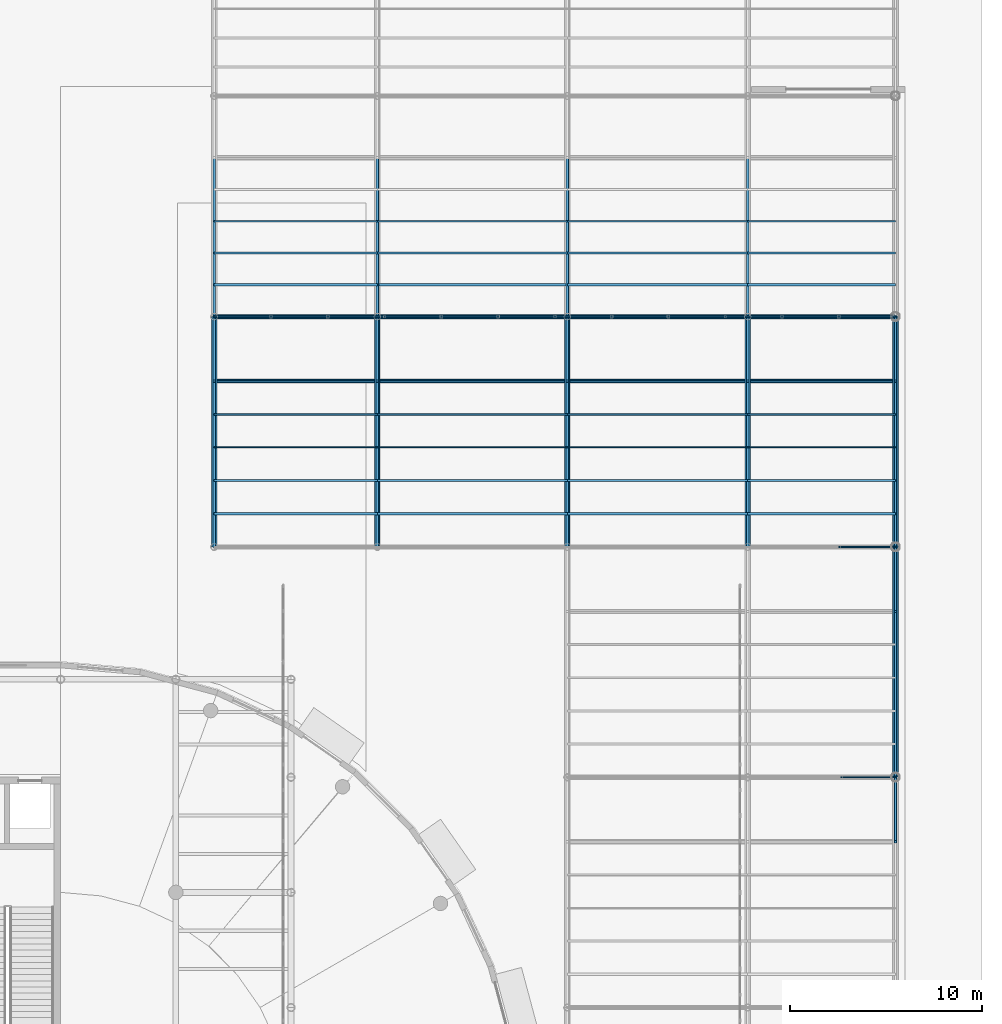
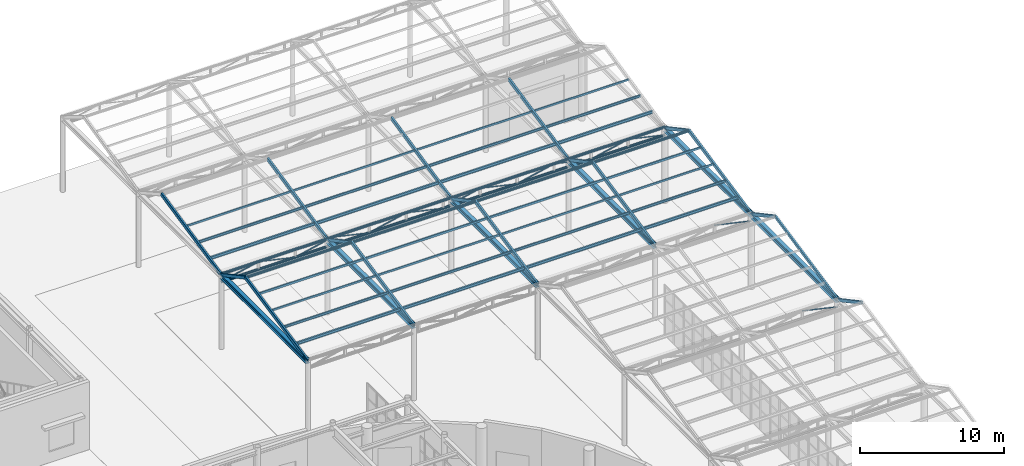
# One storey, part 48 of 118: 62 members, 6 beams.
"""IFC4 building model written with IfcOpenShell, lengths in metres."""

import ifcopenshell
import ifcopenshell.guid

model = None  # the IFC model being written
_history = None  # IfcOwnerHistory: only IFC2X3 demands one
_inside = {}  # id of a spatial element -> (the spatial element, [elements in it])
_under = {}  # id of a project, library or spatial element -> (it, [spatial elements below it])
_declared = {}  # id of a project -> (the project, [libraries it declares])
_typed = {}  # id of a type object -> (the type object, [elements of that type])
_made_of = {}  # id of a material, layer set ... -> (it, [elements and type objects made of it])


def new_model(schema):
    """Start an empty IFC model of exactly this schema.

    Asked for "IFC4X3", IfcOpenShell would pick the latest addendum, in which some entities
    have other attributes; the version numbers below select the first issue.
    IFC2X3 requires an IfcOwnerHistory on every rooted entity: one is made here for all.
    """
    global model, _history
    if schema == "IFC4X3":
        model = ifcopenshell.file(schema_version=(4, 3, 0, 0))
    else:
        model = ifcopenshell.file(schema=schema)
    _inside.clear()
    _under.clear()
    _declared.clear()
    _typed.clear()
    _made_of.clear()
    _history = None
    if model.schema == "IFC2X3":
        org = make("IfcOrganization", Name="unknown")
        user = make(
            "IfcPersonAndOrganization",
            ThePerson=make("IfcPerson", FamilyName="unknown"),
            TheOrganization=org,
        )
        app = make(
            "IfcApplication",
            ApplicationDeveloper=org,
            Version="unknown",
            ApplicationFullName="unknown",
            ApplicationIdentifier="unknown",
        )
        _history = make(
            "IfcOwnerHistory",
            OwningUser=user,
            OwningApplication=app,
            ChangeAction="ADDED",
            CreationDate=0,
        )
    return model


def make(cls, **values):
    """One entity of the class cls with the attributes given. An attribute that is None is left unset."""
    return model.create_entity(
        cls, **{name: value for name, value in values.items() if value is not None}
    )


def rooted(cls, **values):
    """An entity with a GlobalId (a new one), such as an element, a storey or a relation."""
    return make(cls, GlobalId=ifcopenshell.guid.new(), OwnerHistory=_history, **values)


def si_unit(unit_type, name, prefix=None):
    """IfcSIUnit, for example si_unit("LENGTHUNIT", "METRE", prefix="MILLI")."""
    return make("IfcSIUnit", UnitType=unit_type, Prefix=prefix, Name=name)


def assignment(units):
    """IfcUnitAssignment: the units of a project."""
    return None if units is None else make("IfcUnitAssignment", Units=units)


def point(xyz):
    """IfcCartesianPoint."""
    return None if xyz is None else make("IfcCartesianPoint", Coordinates=xyz)


def direction(xyz):
    """IfcDirection."""
    return None if xyz is None else make("IfcDirection", DirectionRatios=xyz)


def frame(location, z_axis=None, x_axis=None):
    """IfcAxis2Placement3D, a coordinate frame: its origin and axes. An axis left out is left unset."""
    return make(
        "IfcAxis2Placement3D",
        Location=point(location),
        Axis=direction(z_axis),
        RefDirection=direction(x_axis),
    )


def frame_2d(location, x_axis=None):
    """IfcAxis2Placement2D, a coordinate frame in the plane: its origin and x axis."""
    return make(
        "IfcAxis2Placement2D", Location=point(location), RefDirection=direction(x_axis)
    )


def origin():
    """The frame at (0, 0, 0) with its axes left unset."""
    return frame((0.0, 0.0, 0.0))


def origin_2d():
    """The frame at (0, 0) in the plane with its x axis left unset."""
    return frame_2d((0.0, 0.0))


def place(relative_to, where):
    """IfcLocalPlacement: puts the frame where relative to a parent placement (None: the world)."""
    return make(
        "IfcLocalPlacement", PlacementRelTo=relative_to, RelativePlacement=where
    )


def context(
    kind, dimensions, precision=None, world=None, true_north=None, identifier=None
):
    """IfcGeometricRepresentationContext, for example the 3D "Model" context."""
    return make(
        "IfcGeometricRepresentationContext",
        ContextIdentifier=identifier,
        ContextType=kind,
        CoordinateSpaceDimension=dimensions,
        Precision=precision,
        WorldCoordinateSystem=world,
        TrueNorth=true_north,
    )


def subcontext(parent, identifier, kind, view, scale=None):
    """IfcGeometricRepresentationSubContext, for example "Body" below "Model"."""
    return make(
        "IfcGeometricRepresentationSubContext",
        ContextIdentifier=identifier,
        ContextType=kind,
        ParentContext=parent,
        TargetScale=scale,
        TargetView=view,
    )


def project(units=None, contexts=None):
    """IfcProject with its units and contexts."""
    return rooted(
        "IfcProject",
        Name="project",
        RepresentationContexts=contexts,
        UnitsInContext=assignment(units),
    )


def spatial(cls, under=None, at=None, **own):
    """A site, building, storey or space (cls), placed at a placement, below another one or the project."""
    s = rooted(cls, ObjectPlacement=at, **own)
    if under is not None:
        _under.setdefault(under.id(), (under, []))[1].append(s)
    return s


def profile(cls, at=None, kind="AREA", **sizes):
    """A parametric profile (cls). Its sizes go by their IFC names, for example OverallWidth=200.0."""
    return make(cls, ProfileType=kind, Position=at, **sizes)


def hollow_rectangle(**sizes):
    """IfcRectangleHollowProfileDef."""
    return profile("IfcRectangleHollowProfileDef", **sizes)


def hollow_circle(**sizes):
    """IfcCircleHollowProfileDef."""
    return profile("IfcCircleHollowProfileDef", **sizes)


def i_section(**sizes):
    """IfcIShapeProfileDef."""
    return profile("IfcIShapeProfileDef", **sizes)


def extrude(swept, where, along, depth):
    """IfcExtrudedAreaSolid: the profile swept, set in the frame where, extruded along a direction by depth."""
    return make(
        "IfcExtrudedAreaSolid",
        SweptArea=swept,
        Position=where,
        ExtrudedDirection=direction(along),
        Depth=depth,
    )


def shape(context_of_items, identifier, shape_type, items):
    """IfcShapeRepresentation: the items that make up one representation, for example the "Body"."""
    return make(
        "IfcShapeRepresentation",
        ContextOfItems=context_of_items,
        RepresentationIdentifier=identifier,
        RepresentationType=shape_type,
        Items=items,
    )


def material(Name=None, Category=None):
    """IfcMaterial."""
    return make("IfcMaterial", Name=Name, Category=Category)


def material_profile(
    of_material, cross_section, Name=None, Category=None, Priority=None
):
    """IfcMaterialProfile: a cross section and its material."""
    return make(
        "IfcMaterialProfile",
        Name=Name,
        Material=of_material,
        Profile=cross_section,
        Priority=Priority,
        Category=Category,
    )


def profile_set(profiles, Name=None, composite=None):
    """IfcMaterialProfileSet."""
    return make(
        "IfcMaterialProfileSet",
        Name=Name,
        MaterialProfiles=profiles,
        CompositeProfile=composite,
    )


def made_of(thing, what):
    """Note that an element or type object is made of a material, layer set ...; save() writes the relation."""
    if what is not None:
        _made_of.setdefault(what.id(), (what, []))[1].append(thing)
    return thing


def type_object(cls, material=None, **own):
    """A type object (cls), such as IfcWallType, which elements share."""
    return made_of(rooted(cls, **own), material)


def element(
    cls,
    number,
    at=None,
    inside=None,
    cuts=None,
    type_object=None,
    material=None,
    context=None,
    identifier="Body",
    shape_type=None,
    held_by="IfcProductDefinitionShape",
    body=None,
    shapes=None,
    **own,
):
    """One element of the class cls, such as IfcWall. Its Tag is "e" and its number.

    at: its placement. inside: the storey or other place that contains it. cuts: it is an
    opening in that element (IfcRelVoidsElement). A single representation is given by context,
    identifier, shape_type and body (its items); several are given by shapes. held_by: the class
    of the entity that holds the representations. save() writes the other relations.
    """
    e = rooted(cls, Tag="e%d" % number, ObjectPlacement=at, **own)
    if body is not None:
        shapes = [shape(context, identifier, shape_type, body)]
    if shapes is not None:
        e.Representation = make(held_by, Representations=shapes)
    if inside is not None:
        _inside.setdefault(inside.id(), (inside, []))[1].append(e)
    if cuts is not None:
        rooted(
            "IfcRelVoidsElement", RelatingBuildingElement=cuts, RelatedOpeningElement=e
        )
    if type_object is not None:
        _typed.setdefault(type_object.id(), (type_object, []))[1].append(e)
    return made_of(e, material)


def aggregate(whole, parts):
    """IfcRelAggregates: a whole, such as a stair, and the parts it consists of."""
    return rooted("IfcRelAggregates", RelatingObject=whole, RelatedObjects=parts)


def save(model, path):
    """Write the relations noted so far, then the file.

    IfcRelAggregates (storeys below a building ...), IfcRelContainedInSpatialStructure (elements
    in a storey), IfcRelDefinesByType, IfcRelAssociatesMaterial and IfcRelDeclares: one each for
    every whole, place, type object, material and project.
    """
    for whole, parts in _under.values():
        aggregate(whole, parts)
    for where, things in _inside.values():
        rooted(
            "IfcRelContainedInSpatialStructure",
            RelatedElements=things,
            RelatingStructure=where,
        )
    for kind, things in _typed.values():
        rooted("IfcRelDefinesByType", RelatedObjects=things, RelatingType=kind)
    for what, things in _made_of.values():
        rooted("IfcRelAssociatesMaterial", RelatedObjects=things, RelatingMaterial=what)
    for by, libraries in _declared.values():
        rooted("IfcRelDeclares", RelatingContext=by, RelatedDefinitions=libraries)
    model.write(path)


model = new_model("IFC4")

# Units and contexts
model_context = context("Model", 3, precision=1e-05, world=origin(), true_north=direction((0.0, 1.0)))
body_context = subcontext(model_context, "Body", "Model", "MODEL_VIEW")
ifc_project = project(units=[si_unit("LENGTHUNIT", "METRE"), si_unit("AREAUNIT", "SQUARE_METRE"), si_unit("VOLUMEUNIT", "CUBIC_METRE"), si_unit("PLANEANGLEUNIT", "RADIAN"), si_unit("MASSUNIT", "GRAM", prefix="KILO")], contexts=[model_context])

# Site, building, storey
site_placement = place(None, origin())
site = spatial("IfcSite", under=ifc_project, at=site_placement, CompositionType="ELEMENT")
building_placement = place(site_placement, origin())
building = spatial("IfcBuilding", under=site, at=building_placement, Name="Kolvaren Corner Interchange", CompositionType="ELEMENT")
storey_placement = place(building_placement, origin())
storey = spatial("IfcBuildingStorey", under=building, at=storey_placement, Name="L01", CompositionType="ELEMENT", Elevation=0.0)

# Beams
ifc_material_1 = material(Name="Steel S355", Category="steel")
ifc_material_profile_1 = material_profile(ifc_material_1, i_section(OverallWidth=0.300048828125, OverallDepth=0.389892578125, WebThickness=0.010986328125, FlangeThickness=0.01904296875, FilletRadius=0.027099609375, at=origin_2d()), Name="HEA 400")
ifc_profile_set_1 = profile_set([ifc_material_profile_1], Name="Steel S355")
beam_type = type_object("IfcBeamType", Name="BM-HEA400", PredefinedType="BEAM", material=ifc_profile_set_1)
for number, where, z_axis, x_axis, name in (
    (1, (128.0, 78.0, 6.199951171875), (0.0, 1.0, 0.0), (-1.0, 0.0, 0.0), "Bus Canopy Eaves Girder 001"),
    (2, (136.5, 78.0, 6.199951171875), (0.0, 1.0, 0.0), (-1.0, 0.0, 0.0), "Bus Canopy Eaves Girder 004"),
    (3, (146.39990234375, 78.0, 6.199951171875), (0.0, 1.0, 0.0), (-1.0, 0.0, 0.0), "Bus Canopy Eaves Girder 010"),
    (4, (155.800048828125, 78.0, 6.199951171875), (0.0, 1.0, 0.0), (-1.0, 0.0, 0.0), "Bus Canopy Eaves Girder 016"),
    (5, (163.5, 66.0, 6.199951171875), (0.0, 1.0, 0.0), (-1.0, 0.0, 0.0), "Bus Canopy Eaves Girder 021"),
    (6, (163.5, 78.0, 6.199951171875), (0.0, 1.0, 0.0), (-1.0, 0.0, 0.0), "Bus Canopy Eaves Girder 022"),
):
    element("IfcBeam", number, at=place(storey_placement, frame(where, z_axis=z_axis, x_axis=x_axis)), inside=storey, type_object=beam_type, Name=name, PredefinedType="BEAM", context=body_context, shape_type="SweptSolid", body=[
        extrude(i_section(OverallWidth=0.300048828125, OverallDepth=0.389892578125, WebThickness=0.010986328125, FlangeThickness=0.01904296875, FilletRadius=0.027099609375, at=origin_2d()), origin(), (0.0, 0.0, 1.0), 12.0),
    ])

# Members
ifc_material_2 = material(Name="Steel S355", Category="steel")
ifc_material_profile_2 = material_profile(ifc_material_2, hollow_circle(Radius=0.05712890625, WallThickness=0.00634765625, at=origin_2d()), Name="CHS 114.3x6.3")
ifc_profile_set_2 = profile_set([ifc_material_profile_2], Name="Steel S355")
member_type_1 = type_object("IfcMemberType", Name="MEM-BR-CHS114", PredefinedType="BRACE", material=ifc_profile_set_2)
for number, where, z_axis, x_axis, name in (
    (7, (128.0, 90.0, 5.64990234375), (0.97528679841, 0.0, 0.220942664161), (0.0, 1.0, 0.0), "Bus Canopy Sawtooth Roof Truss 05 Web Diagonal 01"),
    (8, (133.916748046875, 90.0, 5.64990234375), (0.97528679841, 0.0, 0.220942664161), (0.0, 1.0, 0.0), "Bus Canopy Sawtooth Roof Truss 05 Web Diagonal 03"),
):
    element("IfcMember", number, at=place(storey_placement, frame(where, z_axis=z_axis, x_axis=x_axis)), inside=storey, type_object=member_type_1, Name=name, PredefinedType="BRACE", context=body_context, shape_type="SweptSolid", body=[
        extrude(hollow_circle(Radius=0.05712890625, WallThickness=0.00634765625, at=origin_2d()), origin(), (0.0, 0.0, 1.0), 3.033203125),
    ])
member_1_placement = place(storey_placement, frame((139.833251953125, 90.0, 5.64990234375), z_axis=(0.975290727078, 0.0, 0.220925321491), x_axis=(0.0, 1.0, 0.0)))
element("IfcMember", 9, at=member_1_placement, inside=storey, type_object=member_type_1, Name="Bus Canopy Sawtooth Roof Truss 05 Web Diagonal 05", PredefinedType="BRACE", context=body_context, shape_type="SweptSolid", body=[
    extrude(hollow_circle(Radius=0.05712890625, WallThickness=0.00634765625, at=origin_2d()), origin(), (0.0, 0.0, 1.0), 3.033447265625),
])
for number, where, z_axis, x_axis, name in (
    (10, (145.75, 90.0, 5.64990234375), (0.97528679841, 0.0, 0.220942664161), (0.0, 1.0, 0.0), "Bus Canopy Sawtooth Roof Truss 05 Web Diagonal 07"),
    (11, (151.666748046875, 90.0, 5.64990234375), (0.97528679841, 0.0, 0.220942664161), (0.0, 1.0, 0.0), "Bus Canopy Sawtooth Roof Truss 05 Web Diagonal 09"),
):
    element("IfcMember", number, at=place(storey_placement, frame(where, z_axis=z_axis, x_axis=x_axis)), inside=storey, type_object=member_type_1, Name=name, PredefinedType="BRACE", context=body_context, shape_type="SweptSolid", body=[
        extrude(hollow_circle(Radius=0.05712890625, WallThickness=0.00634765625, at=origin_2d()), origin(), (0.0, 0.0, 1.0), 3.033203125),
    ])
member_2_placement = place(storey_placement, frame((157.583251953125, 90.0, 5.64990234375), z_axis=(0.975290727078, 0.0, 0.220925321491), x_axis=(0.0, 1.0, 0.0)))
element("IfcMember", 12, at=member_2_placement, inside=storey, type_object=member_type_1, Name="Bus Canopy Sawtooth Roof Truss 05 Web Diagonal 11", PredefinedType="BRACE", context=body_context, shape_type="SweptSolid", body=[
    extrude(hollow_circle(Radius=0.05712890625, WallThickness=0.00634765625, at=origin_2d()), origin(), (0.0, 0.0, 1.0), 3.033447265625),
])
ifc_material_3 = material(Name="Steel S355", Category="steel")
ifc_material_profile_3 = material_profile(ifc_material_3, hollow_circle(Radius=0.04443359375, WallThickness=0.0048828125, at=origin_2d()), Name="CHS 88.9x5.0")
ifc_profile_set_3 = profile_set([ifc_material_profile_3], Name="Steel S355")
member_type_2 = type_object("IfcMemberType", Name="MEM-BR-CHS89", PredefinedType="BRACE", material=ifc_profile_set_3)
member_3_placement = place(storey_placement, frame((160.64990234375, 66.0, 6.320068359375), z_axis=(0.973451058965, 0.0, -0.228895250716), x_axis=(0.0, 1.0, 0.0)))
element("IfcMember", 13, at=member_3_placement, inside=storey, type_object=member_type_2, Name="Bus Canopy Sawtooth Roof Truss 03 Web Diagonal 06", PredefinedType="BRACE", context=body_context, shape_type="SweptSolid", body=[
    extrude(hollow_circle(Radius=0.04443359375, WallThickness=0.0048828125, at=origin_2d()), origin(), (0.0, 0.0, 1.0), 2.927734375),
])
member_4_placement = place(storey_placement, frame((160.541748046875, 78.0, 6.320068359375), z_axis=(0.97528679841, 0.0, -0.220942664161), x_axis=(0.0, 1.0, 0.0)))
element("IfcMember", 14, at=member_4_placement, inside=storey, type_object=member_type_2, Name="Bus Canopy Sawtooth Roof Truss 04 Web Diagonal 12", PredefinedType="BRACE", context=body_context, shape_type="SweptSolid", body=[
    extrude(hollow_circle(Radius=0.04443359375, WallThickness=0.0048828125, at=origin_2d()), origin(), (0.0, 0.0, 1.0), 3.033203125),
])
member_5_placement = place(storey_placement, frame((130.958251953125, 90.0, 6.320068359375), z_axis=(0.975290727078, 0.0, -0.220925321491), x_axis=(0.0, 1.0, 0.0)))
element("IfcMember", 15, at=member_5_placement, inside=storey, type_object=member_type_2, Name="Bus Canopy Sawtooth Roof Truss 05 Web Diagonal 02", PredefinedType="BRACE", context=body_context, shape_type="SweptSolid", body=[
    extrude(hollow_circle(Radius=0.04443359375, WallThickness=0.0048828125, at=origin_2d()), origin(), (0.0, 0.0, 1.0), 3.033447265625),
])
for number, where, z_axis, x_axis, name in (
    (16, (136.875, 90.0, 6.320068359375), (0.97528679841, 0.0, -0.220942664161), (0.0, 1.0, 0.0), "Bus Canopy Sawtooth Roof Truss 05 Web Diagonal 04"),
    (17, (142.791748046875, 90.0, 6.320068359375), (0.97528679841, 0.0, -0.220942664161), (0.0, 1.0, 0.0), "Bus Canopy Sawtooth Roof Truss 05 Web Diagonal 06"),
):
    element("IfcMember", number, at=place(storey_placement, frame(where, z_axis=z_axis, x_axis=x_axis)), inside=storey, type_object=member_type_2, Name=name, PredefinedType="BRACE", context=body_context, shape_type="SweptSolid", body=[
        extrude(hollow_circle(Radius=0.04443359375, WallThickness=0.0048828125, at=origin_2d()), origin(), (0.0, 0.0, 1.0), 3.033203125),
    ])
member_6_placement = place(storey_placement, frame((148.708251953125, 90.0, 6.320068359375), z_axis=(0.975290727078, 0.0, -0.220925321491), x_axis=(0.0, 1.0, 0.0)))
element("IfcMember", 18, at=member_6_placement, inside=storey, type_object=member_type_2, Name="Bus Canopy Sawtooth Roof Truss 05 Web Diagonal 08", PredefinedType="BRACE", context=body_context, shape_type="SweptSolid", body=[
    extrude(hollow_circle(Radius=0.04443359375, WallThickness=0.0048828125, at=origin_2d()), origin(), (0.0, 0.0, 1.0), 3.033447265625),
])
for number, where, z_axis, x_axis, name in (
    (19, (154.625, 90.0, 6.320068359375), (0.97528679841, 0.0, -0.220942664161), (0.0, 1.0, 0.0), "Bus Canopy Sawtooth Roof Truss 05 Web Diagonal 10"),
    (20, (160.541748046875, 90.0, 6.320068359375), (0.97528679841, 0.0, -0.220942664161), (0.0, 1.0, 0.0), "Bus Canopy Sawtooth Roof Truss 05 Web Diagonal 12"),
):
    element("IfcMember", number, at=place(storey_placement, frame(where, z_axis=z_axis, x_axis=x_axis)), inside=storey, type_object=member_type_2, Name=name, PredefinedType="BRACE", context=body_context, shape_type="SweptSolid", body=[
        extrude(hollow_circle(Radius=0.04443359375, WallThickness=0.0048828125, at=origin_2d()), origin(), (0.0, 0.0, 1.0), 3.033203125),
    ])
ifc_material_4 = material(Name="Steel S355", Category="steel")
ifc_material_profile_4 = material_profile(ifc_material_4, hollow_circle(Radius=0.109619140625, WallThickness=0.010009765625, at=origin_2d()), Name="CHS 219.1x10.0")
ifc_profile_set_4 = profile_set([ifc_material_profile_4], Name="Steel S355")
member_type_3 = type_object("IfcMemberType", Name="MEM-CH-CHS219", PredefinedType="CHORD", material=ifc_profile_set_4)
for number, where, z_axis, x_axis, name in (
    (21, (128.0, 90.0, 5.64990234375), (1.0, 0.0, 0.0), (0.0, 1.0, 0.0), "Bus Canopy Sawtooth Roof Truss 05 Bottom Chord"),
    (22, (128.0, 90.0, 6.320068359375), (1.0, 0.0, 0.0), (0.0, 1.0, 0.0), "Bus Canopy Sawtooth Roof Truss 05 Top Chord"),
    (23, (128.0, 86.639892578125, 8.050048828125), (1.0, 0.0, 0.0), (0.0, 1.0, 0.0), "Bus Canopy Sawtooth Roof Truss Ridge Chord 04"),
):
    element("IfcMember", number, at=place(storey_placement, frame(where, z_axis=z_axis, x_axis=x_axis)), inside=storey, type_object=member_type_3, Name=name, PredefinedType="CHORD", context=body_context, shape_type="SweptSolid", body=[
        extrude(hollow_circle(Radius=0.109619140625, WallThickness=0.010009765625, at=origin_2d()), origin(), (0.0, 0.0, 1.0), 35.5),
    ])
ifc_material_5 = material(Name="Steel S355", Category="steel")
ifc_material_profile_5 = material_profile(ifc_material_5, i_section(OverallWidth=0.10009765625, OverallDepth=0.199951171875, WebThickness=0.005615234375, FlangeThickness=0.008544921875, FilletRadius=0.011962890625, at=origin_2d()), Name="IPE 200")
ifc_profile_set_5 = profile_set([ifc_material_profile_5], Name="Steel S355")
member_type_4 = type_object("IfcMemberType", Name="MEM-PR-IPE200", PredefinedType="PURLIN", material=ifc_profile_set_5)
member_7_placement = place(storey_placement, frame((128.0, 81.4560546875, 6.97998046875), z_axis=(1.0, 0.0, 0.0), x_axis=(0.0, 1.0, 0.0)))
element("IfcMember", 24, at=member_7_placement, inside=storey, type_object=member_type_4, Name="Bus Canopy Sawtooth Purlin 04 Row 2 Bay 128", PredefinedType="PURLIN", context=body_context, shape_type="SweptSolid", body=[
    extrude(i_section(OverallWidth=0.10009765625, OverallDepth=0.199951171875, WebThickness=0.005615234375, FlangeThickness=0.008544921875, FilletRadius=0.011962890625, at=origin_2d()), origin(), (0.0, 0.0, 1.0), 8.5),
])
member_8_placement = place(storey_placement, frame((136.5, 81.4560546875, 6.97998046875), z_axis=(1.0, 0.0, 0.0), x_axis=(0.0, 1.0, 0.0)))
element("IfcMember", 25, at=member_8_placement, inside=storey, type_object=member_type_4, Name="Bus Canopy Sawtooth Purlin 04 Row 2 Bay 136", PredefinedType="PURLIN", context=body_context, shape_type="SweptSolid", body=[
    extrude(i_section(OverallWidth=0.10009765625, OverallDepth=0.199951171875, WebThickness=0.005615234375, FlangeThickness=0.008544921875, FilletRadius=0.011962890625, at=origin_2d()), origin(), (0.0, 0.0, 1.0), 9.89990234375),
])
member_9_placement = place(storey_placement, frame((146.39990234375, 81.4560546875, 6.97998046875), z_axis=(1.0, 0.0, 0.0), x_axis=(0.0, 1.0, 0.0)))
element("IfcMember", 26, at=member_9_placement, inside=storey, type_object=member_type_4, Name="Bus Canopy Sawtooth Purlin 04 Row 2 Bay 146", PredefinedType="PURLIN", context=body_context, shape_type="SweptSolid", body=[
    extrude(i_section(OverallWidth=0.10009765625, OverallDepth=0.199951171875, WebThickness=0.005615234375, FlangeThickness=0.008544921875, FilletRadius=0.011962890625, at=origin_2d()), origin(), (0.0, 0.0, 1.0), 9.400146484375),
])
member_10_placement = place(storey_placement, frame((155.800048828125, 81.4560546875, 6.97998046875), z_axis=(1.0, 0.0, 0.0), x_axis=(0.0, 1.0, 0.0)))
element("IfcMember", 27, at=member_10_placement, inside=storey, type_object=member_type_4, Name="Bus Canopy Sawtooth Purlin 04 Row 2 Bay 155", PredefinedType="PURLIN", context=body_context, shape_type="SweptSolid", body=[
    extrude(i_section(OverallWidth=0.10009765625, OverallDepth=0.199951171875, WebThickness=0.005615234375, FlangeThickness=0.008544921875, FilletRadius=0.011962890625, at=origin_2d()), origin(), (0.0, 0.0, 1.0), 7.699951171875),
])
member_11_placement = place(storey_placement, frame((128.0, 93.31201171875, 6.97998046875), z_axis=(1.0, 0.0, 0.0), x_axis=(0.0, 1.0, 0.0)))
element("IfcMember", 28, at=member_11_placement, inside=storey, type_object=member_type_4, Name="Bus Canopy Sawtooth Purlin 05 Row 2 Bay 128", PredefinedType="PURLIN", context=body_context, shape_type="SweptSolid", body=[
    extrude(i_section(OverallWidth=0.10009765625, OverallDepth=0.199951171875, WebThickness=0.005615234375, FlangeThickness=0.008544921875, FilletRadius=0.011962890625, at=origin_2d()), origin(), (0.0, 0.0, 1.0), 8.5),
])
member_12_placement = place(storey_placement, frame((136.5, 93.31201171875, 6.97998046875), z_axis=(1.0, 0.0, 0.0), x_axis=(0.0, 1.0, 0.0)))
element("IfcMember", 29, at=member_12_placement, inside=storey, type_object=member_type_4, Name="Bus Canopy Sawtooth Purlin 05 Row 2 Bay 136", PredefinedType="PURLIN", context=body_context, shape_type="SweptSolid", body=[
    extrude(i_section(OverallWidth=0.10009765625, OverallDepth=0.199951171875, WebThickness=0.005615234375, FlangeThickness=0.008544921875, FilletRadius=0.011962890625, at=origin_2d()), origin(), (0.0, 0.0, 1.0), 9.89990234375),
])
member_13_placement = place(storey_placement, frame((146.39990234375, 93.31201171875, 6.97998046875), z_axis=(1.0, 0.0, 0.0), x_axis=(0.0, 1.0, 0.0)))
element("IfcMember", 30, at=member_13_placement, inside=storey, type_object=member_type_4, Name="Bus Canopy Sawtooth Purlin 05 Row 2 Bay 146", PredefinedType="PURLIN", context=body_context, shape_type="SweptSolid", body=[
    extrude(i_section(OverallWidth=0.10009765625, OverallDepth=0.199951171875, WebThickness=0.005615234375, FlangeThickness=0.008544921875, FilletRadius=0.011962890625, at=origin_2d()), origin(), (0.0, 0.0, 1.0), 9.400146484375),
])
member_14_placement = place(storey_placement, frame((155.800048828125, 93.31201171875, 6.97998046875), z_axis=(1.0, 0.0, 0.0), x_axis=(0.0, 1.0, 0.0)))
element("IfcMember", 31, at=member_14_placement, inside=storey, type_object=member_type_4, Name="Bus Canopy Sawtooth Purlin 05 Row 2 Bay 155", PredefinedType="PURLIN", context=body_context, shape_type="SweptSolid", body=[
    extrude(i_section(OverallWidth=0.10009765625, OverallDepth=0.199951171875, WebThickness=0.005615234375, FlangeThickness=0.008544921875, FilletRadius=0.011962890625, at=origin_2d()), origin(), (0.0, 0.0, 1.0), 7.699951171875),
])
ifc_material_6 = material(Name="Steel S355", Category="steel")
ifc_material_profile_6 = material_profile(ifc_material_6, i_section(OverallWidth=0.1201171875, OverallDepth=0.239990234375, WebThickness=0.006103515625, FlangeThickness=0.009765625, FilletRadius=0.014892578125, at=origin_2d()), Name="IPE 240")
ifc_profile_set_6 = profile_set([ifc_material_profile_6], Name="Steel S355")
member_type_5 = type_object("IfcMemberType", Name="MEM-PR-IPE240", PredefinedType="PURLIN", material=ifc_profile_set_6)
member_15_placement = place(storey_placement, frame((128.0, 79.72802734375, 6.6201171875), z_axis=(1.0, 0.0, 0.0), x_axis=(0.0, 1.0, 0.0)))
element("IfcMember", 32, at=member_15_placement, inside=storey, type_object=member_type_5, Name="Bus Canopy Sawtooth Purlin 04 Row 1 Bay 128", PredefinedType="PURLIN", context=body_context, shape_type="SweptSolid", body=[
    extrude(i_section(OverallWidth=0.1201171875, OverallDepth=0.239990234375, WebThickness=0.006103515625, FlangeThickness=0.009765625, FilletRadius=0.014892578125, at=origin_2d()), origin(), (0.0, 0.0, 1.0), 8.5),
])
member_16_placement = place(storey_placement, frame((136.5, 79.72802734375, 6.6201171875), z_axis=(1.0, 0.0, 0.0), x_axis=(0.0, 1.0, 0.0)))
element("IfcMember", 33, at=member_16_placement, inside=storey, type_object=member_type_5, Name="Bus Canopy Sawtooth Purlin 04 Row 1 Bay 136", PredefinedType="PURLIN", context=body_context, shape_type="SweptSolid", body=[
    extrude(i_section(OverallWidth=0.1201171875, OverallDepth=0.239990234375, WebThickness=0.006103515625, FlangeThickness=0.009765625, FilletRadius=0.014892578125, at=origin_2d()), origin(), (0.0, 0.0, 1.0), 9.89990234375),
])
member_17_placement = place(storey_placement, frame((146.39990234375, 79.72802734375, 6.6201171875), z_axis=(1.0, 0.0, 0.0), x_axis=(0.0, 1.0, 0.0)))
element("IfcMember", 34, at=member_17_placement, inside=storey, type_object=member_type_5, Name="Bus Canopy Sawtooth Purlin 04 Row 1 Bay 146", PredefinedType="PURLIN", context=body_context, shape_type="SweptSolid", body=[
    extrude(i_section(OverallWidth=0.1201171875, OverallDepth=0.239990234375, WebThickness=0.006103515625, FlangeThickness=0.009765625, FilletRadius=0.014892578125, at=origin_2d()), origin(), (0.0, 0.0, 1.0), 9.400146484375),
])
member_18_placement = place(storey_placement, frame((155.800048828125, 79.72802734375, 6.6201171875), z_axis=(1.0, 0.0, 0.0), x_axis=(0.0, 1.0, 0.0)))
element("IfcMember", 35, at=member_18_placement, inside=storey, type_object=member_type_5, Name="Bus Canopy Sawtooth Purlin 04 Row 1 Bay 155", PredefinedType="PURLIN", context=body_context, shape_type="SweptSolid", body=[
    extrude(i_section(OverallWidth=0.1201171875, OverallDepth=0.239990234375, WebThickness=0.006103515625, FlangeThickness=0.009765625, FilletRadius=0.014892578125, at=origin_2d()), origin(), (0.0, 0.0, 1.0), 7.699951171875),
])
member_19_placement = place(storey_placement, frame((128.0, 91.656005859375, 6.6201171875), z_axis=(1.0, 0.0, 0.0), x_axis=(0.0, 1.0, 0.0)))
element("IfcMember", 36, at=member_19_placement, inside=storey, type_object=member_type_5, Name="Bus Canopy Sawtooth Purlin 05 Row 1 Bay 128", PredefinedType="PURLIN", context=body_context, shape_type="SweptSolid", body=[
    extrude(i_section(OverallWidth=0.1201171875, OverallDepth=0.239990234375, WebThickness=0.006103515625, FlangeThickness=0.009765625, FilletRadius=0.014892578125, at=origin_2d()), origin(), (0.0, 0.0, 1.0), 8.5),
])
member_20_placement = place(storey_placement, frame((136.5, 91.656005859375, 6.6201171875), z_axis=(1.0, 0.0, 0.0), x_axis=(0.0, 1.0, 0.0)))
element("IfcMember", 37, at=member_20_placement, inside=storey, type_object=member_type_5, Name="Bus Canopy Sawtooth Purlin 05 Row 1 Bay 136", PredefinedType="PURLIN", context=body_context, shape_type="SweptSolid", body=[
    extrude(i_section(OverallWidth=0.1201171875, OverallDepth=0.239990234375, WebThickness=0.006103515625, FlangeThickness=0.009765625, FilletRadius=0.014892578125, at=origin_2d()), origin(), (0.0, 0.0, 1.0), 9.89990234375),
])
member_21_placement = place(storey_placement, frame((146.39990234375, 91.656005859375, 6.6201171875), z_axis=(1.0, 0.0, 0.0), x_axis=(0.0, 1.0, 0.0)))
element("IfcMember", 38, at=member_21_placement, inside=storey, type_object=member_type_5, Name="Bus Canopy Sawtooth Purlin 05 Row 1 Bay 146", PredefinedType="PURLIN", context=body_context, shape_type="SweptSolid", body=[
    extrude(i_section(OverallWidth=0.1201171875, OverallDepth=0.239990234375, WebThickness=0.006103515625, FlangeThickness=0.009765625, FilletRadius=0.014892578125, at=origin_2d()), origin(), (0.0, 0.0, 1.0), 9.400146484375),
])
member_22_placement = place(storey_placement, frame((155.800048828125, 91.656005859375, 6.6201171875), z_axis=(1.0, 0.0, 0.0), x_axis=(0.0, 1.0, 0.0)))
element("IfcMember", 39, at=member_22_placement, inside=storey, type_object=member_type_5, Name="Bus Canopy Sawtooth Purlin 05 Row 1 Bay 155", PredefinedType="PURLIN", context=body_context, shape_type="SweptSolid", body=[
    extrude(i_section(OverallWidth=0.1201171875, OverallDepth=0.239990234375, WebThickness=0.006103515625, FlangeThickness=0.009765625, FilletRadius=0.014892578125, at=origin_2d()), origin(), (0.0, 0.0, 1.0), 7.699951171875),
])
ifc_material_7 = material(Name="Steel S355", Category="steel")
ifc_material_profile_7 = material_profile(ifc_material_7, hollow_rectangle(XDim=0.080078125, YDim=0.159912109375, WallThickness=0.00634765625, InnerFilletRadius=0.00634765625, OuterFilletRadius=0.0126953125, at=origin_2d()), Name="RHS 160x80x6.3")
ifc_profile_set_7 = profile_set([ifc_material_profile_7], Name="Steel S355")
member_type_6 = type_object("IfcMemberType", Name="MEM-PR-RHS160", PredefinedType="PURLIN", material=ifc_profile_set_7)
member_23_placement = place(storey_placement, frame((128.0, 83.18408203125, 7.340087890625), z_axis=(1.0, 0.0, 0.0), x_axis=(0.0, 1.0, 0.0)))
element("IfcMember", 40, at=member_23_placement, inside=storey, type_object=member_type_6, Name="Bus Canopy Sawtooth Purlin 04 Row 3 Bay 128", PredefinedType="PURLIN", context=body_context, shape_type="SweptSolid", body=[
    extrude(hollow_rectangle(XDim=0.080078125, YDim=0.159912109375, WallThickness=0.00634765625, InnerFilletRadius=0.00634765625, OuterFilletRadius=0.0126953125, at=origin_2d()), origin(), (0.0, 0.0, 1.0), 8.5),
])
member_24_placement = place(storey_placement, frame((136.5, 83.18408203125, 7.340087890625), z_axis=(1.0, 0.0, 0.0), x_axis=(0.0, 1.0, 0.0)))
element("IfcMember", 41, at=member_24_placement, inside=storey, type_object=member_type_6, Name="Bus Canopy Sawtooth Purlin 04 Row 3 Bay 136", PredefinedType="PURLIN", context=body_context, shape_type="SweptSolid", body=[
    extrude(hollow_rectangle(XDim=0.080078125, YDim=0.159912109375, WallThickness=0.00634765625, InnerFilletRadius=0.00634765625, OuterFilletRadius=0.0126953125, at=origin_2d()), origin(), (0.0, 0.0, 1.0), 9.89990234375),
])
member_25_placement = place(storey_placement, frame((146.39990234375, 83.18408203125, 7.340087890625), z_axis=(1.0, 0.0, 0.0), x_axis=(0.0, 1.0, 0.0)))
element("IfcMember", 42, at=member_25_placement, inside=storey, type_object=member_type_6, Name="Bus Canopy Sawtooth Purlin 04 Row 3 Bay 146", PredefinedType="PURLIN", context=body_context, shape_type="SweptSolid", body=[
    extrude(hollow_rectangle(XDim=0.080078125, YDim=0.159912109375, WallThickness=0.00634765625, InnerFilletRadius=0.00634765625, OuterFilletRadius=0.0126953125, at=origin_2d()), origin(), (0.0, 0.0, 1.0), 9.400146484375),
])
member_26_placement = place(storey_placement, frame((155.800048828125, 83.18408203125, 7.340087890625), z_axis=(1.0, 0.0, 0.0), x_axis=(0.0, 1.0, 0.0)))
element("IfcMember", 43, at=member_26_placement, inside=storey, type_object=member_type_6, Name="Bus Canopy Sawtooth Purlin 04 Row 3 Bay 155", PredefinedType="PURLIN", context=body_context, shape_type="SweptSolid", body=[
    extrude(hollow_rectangle(XDim=0.080078125, YDim=0.159912109375, WallThickness=0.00634765625, InnerFilletRadius=0.00634765625, OuterFilletRadius=0.0126953125, at=origin_2d()), origin(), (0.0, 0.0, 1.0), 7.699951171875),
])
member_27_placement = place(storey_placement, frame((128.0, 94.968017578125, 7.340087890625), z_axis=(1.0, 0.0, 0.0), x_axis=(0.0, 1.0, 0.0)))
element("IfcMember", 44, at=member_27_placement, inside=storey, type_object=member_type_6, Name="Bus Canopy Sawtooth Purlin 05 Row 3 Bay 128", PredefinedType="PURLIN", context=body_context, shape_type="SweptSolid", body=[
    extrude(hollow_rectangle(XDim=0.080078125, YDim=0.159912109375, WallThickness=0.00634765625, InnerFilletRadius=0.00634765625, OuterFilletRadius=0.0126953125, at=origin_2d()), origin(), (0.0, 0.0, 1.0), 8.5),
])
member_28_placement = place(storey_placement, frame((136.5, 94.968017578125, 7.340087890625), z_axis=(1.0, 0.0, 0.0), x_axis=(0.0, 1.0, 0.0)))
element("IfcMember", 45, at=member_28_placement, inside=storey, type_object=member_type_6, Name="Bus Canopy Sawtooth Purlin 05 Row 3 Bay 136", PredefinedType="PURLIN", context=body_context, shape_type="SweptSolid", body=[
    extrude(hollow_rectangle(XDim=0.080078125, YDim=0.159912109375, WallThickness=0.00634765625, InnerFilletRadius=0.00634765625, OuterFilletRadius=0.0126953125, at=origin_2d()), origin(), (0.0, 0.0, 1.0), 9.89990234375),
])
member_29_placement = place(storey_placement, frame((146.39990234375, 94.968017578125, 7.340087890625), z_axis=(1.0, 0.0, 0.0), x_axis=(0.0, 1.0, 0.0)))
element("IfcMember", 46, at=member_29_placement, inside=storey, type_object=member_type_6, Name="Bus Canopy Sawtooth Purlin 05 Row 3 Bay 146", PredefinedType="PURLIN", context=body_context, shape_type="SweptSolid", body=[
    extrude(hollow_rectangle(XDim=0.080078125, YDim=0.159912109375, WallThickness=0.00634765625, InnerFilletRadius=0.00634765625, OuterFilletRadius=0.0126953125, at=origin_2d()), origin(), (0.0, 0.0, 1.0), 9.400146484375),
])
member_30_placement = place(storey_placement, frame((155.800048828125, 94.968017578125, 7.340087890625), z_axis=(1.0, 0.0, 0.0), x_axis=(0.0, 1.0, 0.0)))
element("IfcMember", 47, at=member_30_placement, inside=storey, type_object=member_type_6, Name="Bus Canopy Sawtooth Purlin 05 Row 3 Bay 155", PredefinedType="PURLIN", context=body_context, shape_type="SweptSolid", body=[
    extrude(hollow_rectangle(XDim=0.080078125, YDim=0.159912109375, WallThickness=0.00634765625, InnerFilletRadius=0.00634765625, OuterFilletRadius=0.0126953125, at=origin_2d()), origin(), (0.0, 0.0, 1.0), 7.699951171875),
])
ifc_material_8 = material(Name="Steel S355", Category="steel")
ifc_material_profile_8 = material_profile(ifc_material_8, hollow_rectangle(XDim=0.10009765625, YDim=0.179931640625, WallThickness=0.008056640625, InnerFilletRadius=0.008056640625, OuterFilletRadius=0.01611328125, at=origin_2d()), Name="RHS 180x100x8.0")
ifc_profile_set_8 = profile_set([ifc_material_profile_8], Name="Steel S355")
member_type_7 = type_object("IfcMemberType", Name="MEM-PR-RHS180", PredefinedType="PURLIN", material=ifc_profile_set_8)
member_31_placement = place(storey_placement, frame((128.0, 84.912109375, 7.699951171875), z_axis=(1.0, 0.0, 0.0), x_axis=(0.0, 1.0, 0.0)))
element("IfcMember", 48, at=member_31_placement, inside=storey, type_object=member_type_7, Name="Bus Canopy Sawtooth Purlin 04 Row 4 Bay 128", PredefinedType="PURLIN", context=body_context, shape_type="SweptSolid", body=[
    extrude(hollow_rectangle(XDim=0.10009765625, YDim=0.179931640625, WallThickness=0.008056640625, InnerFilletRadius=0.008056640625, OuterFilletRadius=0.01611328125, at=origin_2d()), origin(), (0.0, 0.0, 1.0), 8.5),
])
member_32_placement = place(storey_placement, frame((136.5, 84.912109375, 7.699951171875), z_axis=(1.0, 0.0, 0.0), x_axis=(0.0, 1.0, 0.0)))
element("IfcMember", 49, at=member_32_placement, inside=storey, type_object=member_type_7, Name="Bus Canopy Sawtooth Purlin 04 Row 4 Bay 136", PredefinedType="PURLIN", context=body_context, shape_type="SweptSolid", body=[
    extrude(hollow_rectangle(XDim=0.10009765625, YDim=0.179931640625, WallThickness=0.008056640625, InnerFilletRadius=0.008056640625, OuterFilletRadius=0.01611328125, at=origin_2d()), origin(), (0.0, 0.0, 1.0), 9.89990234375),
])
member_33_placement = place(storey_placement, frame((146.39990234375, 84.912109375, 7.699951171875), z_axis=(1.0, 0.0, 0.0), x_axis=(0.0, 1.0, 0.0)))
element("IfcMember", 50, at=member_33_placement, inside=storey, type_object=member_type_7, Name="Bus Canopy Sawtooth Purlin 04 Row 4 Bay 146", PredefinedType="PURLIN", context=body_context, shape_type="SweptSolid", body=[
    extrude(hollow_rectangle(XDim=0.10009765625, YDim=0.179931640625, WallThickness=0.008056640625, InnerFilletRadius=0.008056640625, OuterFilletRadius=0.01611328125, at=origin_2d()), origin(), (0.0, 0.0, 1.0), 9.400146484375),
])
member_34_placement = place(storey_placement, frame((155.800048828125, 84.912109375, 7.699951171875), z_axis=(1.0, 0.0, 0.0), x_axis=(0.0, 1.0, 0.0)))
element("IfcMember", 51, at=member_34_placement, inside=storey, type_object=member_type_7, Name="Bus Canopy Sawtooth Purlin 04 Row 4 Bay 155", PredefinedType="PURLIN", context=body_context, shape_type="SweptSolid", body=[
    extrude(hollow_rectangle(XDim=0.10009765625, YDim=0.179931640625, WallThickness=0.008056640625, InnerFilletRadius=0.008056640625, OuterFilletRadius=0.01611328125, at=origin_2d()), origin(), (0.0, 0.0, 1.0), 7.699951171875),
])
ifc_material_9 = material(Name="Steel S355", Category="steel")
ifc_material_profile_9 = material_profile(ifc_material_9, hollow_rectangle(XDim=0.14990234375, YDim=0.25, WallThickness=0.010009765625, InnerFilletRadius=0.010009765625, OuterFilletRadius=0.02001953125, at=origin_2d()), Name="RHS 250x150x10.0")
ifc_profile_set_9 = profile_set([ifc_material_profile_9], Name="Steel S355")
member_type_8 = type_object("IfcMemberType", Name="MEM-RF-RHS250", PredefinedType="RAFTER", material=ifc_profile_set_9)
member_35_placement = place(storey_placement, frame((163.5, 62.639892578125, 8.050048828125), z_axis=(0.0, 0.881480922165, -0.47221963519), x_axis=(-1.0, 0.0, 0.0)))
element("IfcMember", 52, at=member_35_placement, inside=storey, type_object=member_type_8, Name="Bus Canopy Sawtooth North Rafter 02 Line 3", PredefinedType="RAFTER", context=body_context, shape_type="SweptSolid", body=[
    extrude(hollow_rectangle(XDim=0.14990234375, YDim=0.25, WallThickness=0.010009765625, InnerFilletRadius=0.010009765625, OuterFilletRadius=0.02001953125, at=origin_2d()), origin(), (0.0, 0.0, 1.0), 3.811767578125),
])
member_36_placement = place(storey_placement, frame((163.5, 66.0, 6.25), z_axis=(0.0, 0.978978808696, 0.20396198696), x_axis=(-1.0, 0.0, 0.0)))
element("IfcMember", 53, at=member_36_placement, inside=storey, type_object=member_type_8, Name="Bus Canopy Sawtooth South Rafter 03 Line 3", PredefinedType="RAFTER", context=body_context, shape_type="SweptSolid", body=[
    extrude(hollow_rectangle(XDim=0.14990234375, YDim=0.25, WallThickness=0.010009765625, InnerFilletRadius=0.010009765625, OuterFilletRadius=0.02001953125, at=origin_2d()), origin(), (0.0, 0.0, 1.0), 8.825439453125),
])
for number, where, z_axis, x_axis, name in (
    (54, (163.5, 74.639892578125, 8.050048828125), (0.0, 0.881480922165, -0.47221963519), (-1.0, 0.0, 0.0), "Bus Canopy Sawtooth North Rafter 03 Line 3"),
    (55, (128.0, 86.639892578125, 8.050048828125), (0.0, 0.881480922165, -0.47221963519), (-1.0, 0.0, 0.0), "Bus Canopy Sawtooth North Rafter 04 Line 1"),
    (56, (136.5, 86.639892578125, 8.050048828125), (0.0, 0.881480922165, -0.47221963519), (-1.0, 0.0, 0.0), "Bus Canopy Sawtooth North Rafter 04 Line 2"),
    (57, (146.39990234375, 86.639892578125, 8.050048828125), (0.0, 0.881480922165, -0.47221963519), (-1.0, 0.0, 0.0), "Bus Canopy Sawtooth North Rafter 04 Line 3"),
    (58, (155.800048828125, 86.639892578125, 8.050048828125), (0.0, 0.881480922165, -0.47221963519), (-1.0, 0.0, 0.0), "Bus Canopy Sawtooth North Rafter 04 Line 4"),
    (59, (163.5, 86.639892578125, 8.050048828125), (0.0, 0.881480922165, -0.47221963519), (-1.0, 0.0, 0.0), "Bus Canopy Sawtooth North Rafter 04 Line 5"),
):
    element("IfcMember", number, at=place(storey_placement, frame(where, z_axis=z_axis, x_axis=x_axis)), inside=storey, type_object=member_type_8, Name=name, PredefinedType="RAFTER", context=body_context, shape_type="SweptSolid", body=[
        extrude(hollow_rectangle(XDim=0.14990234375, YDim=0.25, WallThickness=0.010009765625, InnerFilletRadius=0.010009765625, OuterFilletRadius=0.02001953125, at=origin_2d()), origin(), (0.0, 0.0, 1.0), 3.811767578125),
    ])
ifc_material_10 = material(Name="Steel S355", Category="steel")
ifc_material_profile_10 = material_profile(ifc_material_10, hollow_rectangle(XDim=0.14990234375, YDim=0.300048828125, WallThickness=0.010009765625, InnerFilletRadius=0.010009765625, OuterFilletRadius=0.02001953125, at=origin_2d()), Name="RHS 300x150x10.0")
ifc_profile_set_10 = profile_set([ifc_material_profile_10], Name="Steel S355")
member_type_9 = type_object("IfcMemberType", Name="MEM-RF-RHS300", PredefinedType="RAFTER", material=ifc_profile_set_10)
for number, where, z_axis, x_axis, name in (
    (60, (128.0, 78.0, 6.25), (0.0, 0.978978808696, 0.20396198696), (-1.0, 0.0, 0.0), "Bus Canopy Sawtooth South Rafter 04 Line 1"),
    (61, (136.5, 78.0, 6.25), (0.0, 0.978978808696, 0.20396198696), (-1.0, 0.0, 0.0), "Bus Canopy Sawtooth South Rafter 04 Line 2"),
    (62, (146.39990234375, 78.0, 6.25), (0.0, 0.978978808696, 0.20396198696), (-1.0, 0.0, 0.0), "Bus Canopy Sawtooth South Rafter 04 Line 3"),
    (63, (155.800048828125, 78.0, 6.25), (0.0, 0.978978808696, 0.20396198696), (-1.0, 0.0, 0.0), "Bus Canopy Sawtooth South Rafter 04 Line 4"),
    (64, (163.5, 78.0, 6.25), (0.0, 0.978978808696, 0.20396198696), (-1.0, 0.0, 0.0), "Bus Canopy Sawtooth South Rafter 04 Line 5"),
):
    element("IfcMember", number, at=place(storey_placement, frame(where, z_axis=z_axis, x_axis=x_axis)), inside=storey, type_object=member_type_9, Name=name, PredefinedType="RAFTER", context=body_context, shape_type="SweptSolid", body=[
        extrude(hollow_rectangle(XDim=0.14990234375, YDim=0.300048828125, WallThickness=0.010009765625, InnerFilletRadius=0.010009765625, OuterFilletRadius=0.02001953125, at=origin_2d()), origin(), (0.0, 0.0, 1.0), 8.825439453125),
    ])
for number, where, z_axis, x_axis, name in (
    (65, (128.0, 90.0, 6.25), (0.0, 0.977175323749, 0.212434429073), (-1.0, 0.0, 0.0), "Bus Canopy Sawtooth South Rafter 05 Line 1"),
    (66, (136.5, 90.0, 6.25), (0.0, 0.977175323749, 0.212434429073), (-1.0, 0.0, 0.0), "Bus Canopy Sawtooth South Rafter 05 Line 2"),
    (67, (146.39990234375, 90.0, 6.25), (0.0, 0.977175323749, 0.212434429073), (-1.0, 0.0, 0.0), "Bus Canopy Sawtooth South Rafter 05 Line 3"),
    (68, (155.800048828125, 90.0, 6.25), (0.0, 0.977175323749, 0.212434429073), (-1.0, 0.0, 0.0), "Bus Canopy Sawtooth South Rafter 05 Line 4"),
):
    element("IfcMember", number, at=place(storey_placement, frame(where, z_axis=z_axis, x_axis=x_axis)), inside=storey, type_object=member_type_9, Name=name, PredefinedType="RAFTER", context=body_context, shape_type="SweptSolid", body=[
        extrude(hollow_rectangle(XDim=0.14990234375, YDim=0.300048828125, WallThickness=0.010009765625, InnerFilletRadius=0.010009765625, OuterFilletRadius=0.02001953125, at=origin_2d()), origin(), (0.0, 0.0, 1.0), 8.473388671875),
    ])

save(model, "model.ifc")
